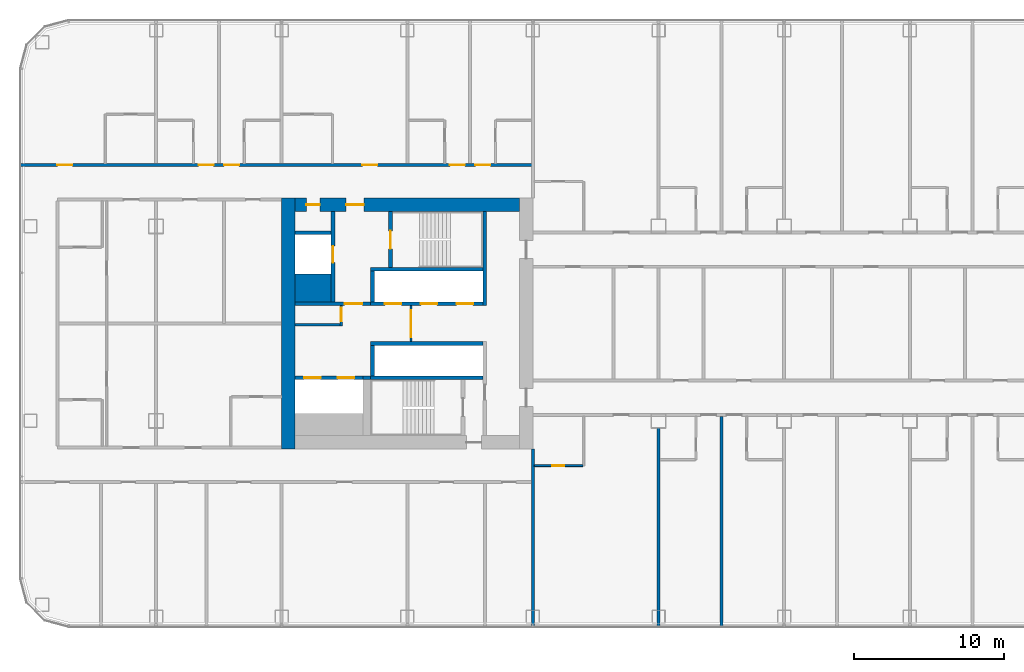
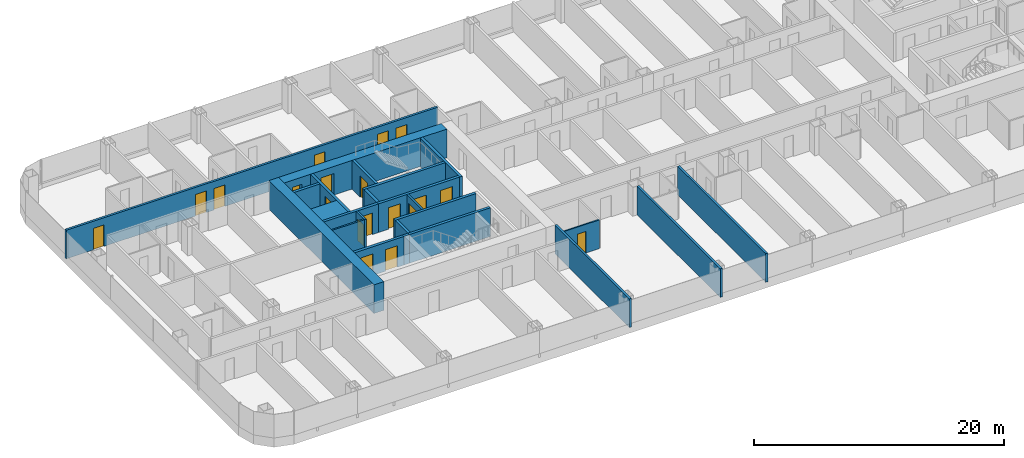
# One storey, part 14 of 28: 24 walls, 19 doors, 19 openings.
"""IFC4 building model written with IfcOpenShell, lengths in metres."""

from ifc_helpers import new_model, si_unit, direction, frame, frame_2d, origin, place, context, subcontext, project, spatial, rectangle, extrude, material, layer, layer_set, type_object, element, fill, save


model = new_model("IFC4")

# Units and contexts
model_context = context("Model", 3, precision=1e-05, world=origin(), true_north=direction((0.0, 1.0)))
body_context = subcontext(model_context, "Body", "Model", "MODEL_VIEW")
ifc_project = project(units=[si_unit("LENGTHUNIT", "METRE"), si_unit("AREAUNIT", "SQUARE_METRE"), si_unit("VOLUMEUNIT", "CUBIC_METRE"), si_unit("PLANEANGLEUNIT", "RADIAN"), si_unit("MASSUNIT", "GRAM", prefix="KILO")], contexts=[model_context])

# Site, building, storey
site_placement = place(None, origin())
site = spatial("IfcSite", under=ifc_project, at=site_placement, CompositionType="ELEMENT")
building_placement = place(site_placement, origin())
building = spatial("IfcBuilding", under=site, at=building_placement, Name="Hakoniwa Tower and Hamabe Station Hall", CompositionType="ELEMENT")
storey_placement = place(building_placement, frame((0.0, 0.0, 42.199951171875)))
storey = spatial("IfcBuildingStorey", under=building, at=storey_placement, Name="L11", CompositionType="ELEMENT", Elevation=42.199951171875)

# Wall, opening, door
ifc_material_1 = material(Name="Gypsum board partition", Category="gypsum")
ifc_layer_1 = layer(ifc_material_1, 0.125)
ifc_layer_set_1 = layer_set([ifc_layer_1], Name="Bathroom Partition 125")
wall_type_1 = type_object("IfcWallType", Name="Bathroom Partition 125", PredefinedType="PARTITIONING", material=ifc_layer_set_1)
wall_1_placement = place(storey_placement, frame((-16.699951171875, -9.5, 0.0), z_axis=(0.0, 0.0, 1.0), x_axis=(1.0, 0.0, 0.0)))
wall_1 = element("IfcWall", 1, at=wall_1_placement, inside=storey, type_object=wall_type_1, Name="GW-L11-009", PredefinedType="PARTITIONING", context=body_context, shape_type="SweptSolid", body=[
    extrude(rectangle(XDim=3.237548828125, YDim=0.125, at=frame_2d((1.61865234375, 0.0))), origin(), (0.0, 0.0, 1.0), 2.800048828125),
])
opening_1_placement = place(wall_1_placement, frame((1.199951171875, 0.0, 0.0)))
opening_1 = element("IfcOpeningElement", 2, at=opening_1_placement, cuts=wall_1, Name="Opening GD-G1C1-16", PredefinedType="OPENING", context=body_context, shape_type="SweptSolid", body=[
    extrude(rectangle(XDim=0.800048828125, YDim=2.10009765625, at=frame_2d((0.39990234375, 1.050048828125))), frame((0.0, 0.072509765625, 0.0), z_axis=(0.0, -1.0, 0.0), x_axis=(1.0, 0.0, 0.0)), (0.0, 0.0, 1.0), 0.14501953125),
])
ifc_material_2 = material(Name="Timber door leaf", Category="wood")
door_type_1 = type_object("IfcDoorType", Name="Bathroom Door 800", OperationType="SINGLE_SWING_LEFT", PredefinedType="DOOR", material=ifc_material_2)
door_1_placement = place(opening_1_placement, origin())
door_1 = element("IfcDoor", 3, at=door_1_placement, inside=storey, type_object=door_type_1, Name="Door GD-G1C1-16", OperationType="SINGLE_SWING_RIGHT", OverallHeight=2.10009765625, OverallWidth=0.800048828125, PredefinedType="DOOR", context=body_context, shape_type="SweptSolid", body=[
    extrude(rectangle(XDim=0.800048828125, YDim=2.10009765625, at=frame_2d((0.39990234375, 1.050048828125))), frame((0.0, 0.02490234375, 0.0), z_axis=(0.0, -1.0, 0.0), x_axis=(1.0, 0.0, 0.0)), (0.0, 0.0, 1.0), 0.050048828125),
])
fill(opening_1, door_1)

ifc_material_3 = material(Name="Gypsum board partition")
ifc_layer_2 = layer(ifc_material_3, 0.14990234375)
ifc_layer_set_2 = layer_set([ifc_layer_2], Name="CORE PARTITION 150 EI 60")
wall_type_2 = type_object("IfcWallType", Name="CORE PARTITION 150 EI 60", PredefinedType="PARTITIONING", material=ifc_layer_set_2)
wall_2_placement = place(storey_placement, frame((-24.949951171875, -1.199951171875, 0.0), z_axis=(0.0, 0.0, 1.0), x_axis=(0.0, 1.0, 0.0)))
wall_2 = element("IfcWall", 4, at=wall_2_placement, inside=storey, type_object=wall_type_2, Name="Core partition PL0 west", PredefinedType="PARTITIONING", context=body_context, shape_type="SweptSolid", body=[
    extrude(rectangle(XDim=2.39990234375, YDim=0.14990234375, at=frame_2d((1.199951171875, 0.0))), origin(), (0.0, 0.0, 1.0), 2.800048828125),
])
opening_2_placement = place(wall_2_placement, frame((0.300048828125, 0.0, 0.0)))
opening_2 = element("IfcOpeningElement", 5, at=opening_2_placement, cuts=wall_2, Name="Opening CD-W-LP0-18", PredefinedType="OPENING", context=body_context, shape_type="SweptSolid", body=[
    extrude(rectangle(XDim=1.800048828125, YDim=2.10009765625, at=frame_2d((0.89990234375, 1.050048828125))), frame((0.0, 0.0849609375, 0.0), z_axis=(0.0, -1.0, 0.0), x_axis=(1.0, 0.0, 0.0)), (0.0, 0.0, 1.0), 0.169921875),
])
ifc_material_4 = material(Name="Steel fire door", Category="steel")
door_type_2 = type_object("IfcDoorType", Name="CORE DOOR 1800 FD60", OperationType="DOUBLE_DOOR_SINGLE_SWING", PredefinedType="DOOR", material=ifc_material_4)
door_2_placement = place(opening_2_placement, origin())
door_2 = element("IfcDoor", 6, at=door_2_placement, inside=storey, type_object=door_type_2, Name="Lift lobby partition door", OperationType="DOUBLE_DOOR_SINGLE_SWING", OverallHeight=2.10009765625, OverallWidth=1.800048828125, PredefinedType="DOOR", context=body_context, shape_type="SweptSolid", body=[
    extrude(rectangle(XDim=1.800048828125, YDim=2.10009765625, at=frame_2d((0.89990234375, 1.050048828125))), frame((0.0, 0.02490234375, 0.0), z_axis=(0.0, -1.0, 0.0), x_axis=(1.0, 0.0, 0.0)), (0.0, 0.0, 1.0), 0.050048828125),
])
fill(opening_2, door_2)

wall_3_placement = place(storey_placement, frame((-29.625, -0.14990234375, 0.0), z_axis=(0.0, 0.0, 1.0), x_axis=(0.0, 1.0, 0.0)))
wall_3 = element("IfcWall", 7, at=wall_3_placement, inside=storey, type_object=wall_type_2, Name="Core partition PW0 west", PredefinedType="PARTITIONING", context=body_context, shape_type="SweptSolid", body=[
    extrude(rectangle(XDim=1.349853515625, YDim=0.14990234375, at=frame_2d((0.6748046875, 0.0))), origin(), (0.0, 0.0, 1.0), 2.800048828125),
])
opening_3_placement = place(wall_3_placement, frame((0.300048828125, 0.0, 0.0)))
opening_3 = element("IfcOpeningElement", 8, at=opening_3_placement, cuts=wall_3, Name="Opening CD-W-RM1-9", PredefinedType="OPENING", context=body_context, shape_type="SweptSolid", body=[
    extrude(rectangle(XDim=0.89990234375, YDim=2.10009765625, at=frame_2d((0.449951171875, 1.050048828125))), frame((0.0, 0.0849609375, 0.0), z_axis=(0.0, -1.0, 0.0), x_axis=(1.0, 0.0, 0.0)), (0.0, 0.0, 1.0), 0.169921875),
])
ifc_material_5 = material(Name="Steel fire door", Category="steel")
door_type_3 = type_object("IfcDoorType", Name="CORE DOOR 900 FD30", OperationType="NOTDEFINED", PredefinedType="DOOR", material=ifc_material_5)
door_3_placement = place(opening_3_placement, origin())
door_3 = element("IfcDoor", 9, at=door_3_placement, inside=storey, type_object=door_type_3, Name="Store room door", OperationType="SINGLE_SWING_RIGHT", OverallHeight=2.10009765625, OverallWidth=0.89990234375, PredefinedType="DOOR", context=body_context, shape_type="SweptSolid", body=[
    extrude(rectangle(XDim=0.89990234375, YDim=2.10009765625, at=frame_2d((0.449951171875, 1.050048828125))), frame((0.0, 0.02490234375, 0.0), z_axis=(0.0, -1.0, 0.0), x_axis=(1.0, 0.0, 0.0)), (0.0, 0.0, 1.0), 0.050048828125),
])
fill(opening_3, door_3)

# Walls
wall_4_placement = place(storey_placement, frame((-32.699951171875, -0.074951171875, 0.0), z_axis=(0.0, 0.0, 1.0), x_axis=(1.0, 0.0, 0.0)))
element("IfcWall", 10, at=wall_4_placement, inside=storey, type_object=wall_type_2, Name="Core partition PS west", PredefinedType="PARTITIONING", context=body_context, shape_type="SweptSolid", body=[
    extrude(rectangle(XDim=3.0, YDim=0.14990234375, at=frame_2d((1.5, 0.0))), origin(), (0.0, 0.0, 1.0), 2.800048828125),
])
ifc_material_6 = material(Name="Concrete C80", Category="concrete")
ifc_layer_3 = layer(ifc_material_6, 0.89990234375)
ifc_layer_set_3 = layer_set([ifc_layer_3], Name="CORE WALL 900 C80")
wall_type_3 = type_object("IfcWallType", Name="CORE WALL 900 C80", PredefinedType="SHEAR", material=ifc_layer_set_3)
wall_5_placement = place(storey_placement, frame((-33.14990234375, -8.39990234375, 0.0), z_axis=(0.0, 0.0, 1.0), x_axis=(0.0, 1.0, 0.0)))
element("IfcWall", 11, at=wall_5_placement, inside=storey, type_object=wall_type_3, Name="Core wall OUTER west", PredefinedType="SHEAR", context=body_context, shape_type="SweptSolid", body=[
    extrude(rectangle(XDim=16.7998046875, YDim=0.89990234375, at=frame_2d((8.39990234375, 0.0))), origin(), (0.0, 0.0, 1.0), 2.800048828125),
])

# Wall, openings, doors
wall_6_placement = place(storey_placement, frame((-32.699951171875, 7.949951171875, 0.0), z_axis=(0.0, 0.0, 1.0), x_axis=(1.0, 0.0, 0.0)))
wall_6 = element("IfcWall", 12, at=wall_6_placement, inside=storey, type_object=wall_type_3, Name="Core wall NORTH west", PredefinedType="SHEAR", context=body_context, shape_type="SweptSolid", body=[
    extrude(rectangle(XDim=15.0, YDim=0.89990234375, at=frame_2d((7.5, 0.0))), origin(), (0.0, 0.0, 1.0), 2.800048828125),
])
opening_4_placement = place(wall_6_placement, frame((3.39990234375, 0.0, 0.0)))
opening_4 = element("IfcOpeningElement", 13, at=opening_4_placement, cuts=wall_6, Name="Opening CD-W-FN1-12", PredefinedType="OPENING", context=body_context, shape_type="SweptSolid", body=[
    extrude(rectangle(XDim=1.199951171875, YDim=2.10009765625, at=frame_2d((0.60009765625, 1.050048828125))), frame((0.0, 0.4599609375, 0.0), z_axis=(0.0, -1.0, 0.0), x_axis=(1.0, 0.0, 0.0)), (0.0, 0.0, 1.0), 0.919921875),
])
opening_5_placement = place(wall_6_placement, frame((0.75, 0.0, 0.0)))
opening_5 = element("IfcOpeningElement", 14, at=opening_5_placement, cuts=wall_6, Name="Opening CD-W-FN2-9", PredefinedType="OPENING", context=body_context, shape_type="SweptSolid", body=[
    extrude(rectangle(XDim=0.89990234375, YDim=2.10009765625, at=frame_2d((0.449951171875, 1.050048828125))), frame((0.0, 0.4599609375, 0.0), z_axis=(0.0, -1.0, 0.0), x_axis=(1.0, 0.0, 0.0)), (0.0, 0.0, 1.0), 0.919921875),
])
ifc_material_7 = material(Name="Steel fire door", Category="steel")
door_type_4 = type_object("IfcDoorType", Name="CORE DOOR 1200 FD60", OperationType="DOUBLE_DOOR_SINGLE_SWING", PredefinedType="DOOR", material=ifc_material_7)
door_4_placement = place(opening_4_placement, origin())
door_4 = element("IfcDoor", 15, at=door_4_placement, inside=storey, type_object=door_type_4, Name="Stair vestibule door to the fire-fighting lobby", OperationType="DOUBLE_DOOR_SINGLE_SWING", OverallHeight=2.10009765625, OverallWidth=1.199951171875, PredefinedType="DOOR", context=body_context, shape_type="SweptSolid", body=[
    extrude(rectangle(XDim=1.199951171875, YDim=2.10009765625, at=frame_2d((0.60009765625, 1.050048828125))), frame((0.0, 0.02490234375, 0.0), z_axis=(0.0, -1.0, 0.0), x_axis=(1.0, 0.0, 0.0)), (0.0, 0.0, 1.0), 0.050048828125),
])
fill(opening_4, door_4)
door_5_placement = place(opening_5_placement, origin())
door_5 = element("IfcDoor", 16, at=door_5_placement, inside=storey, type_object=door_type_3, Name="Riser access door", OperationType="SINGLE_SWING_LEFT", OverallHeight=2.10009765625, OverallWidth=0.89990234375, PredefinedType="DOOR", context=body_context, shape_type="SweptSolid", body=[
    extrude(rectangle(XDim=0.89990234375, YDim=2.10009765625, at=frame_2d((0.449951171875, 1.050048828125))), frame((0.0, 0.02490234375, 0.0), z_axis=(0.0, -1.0, 0.0), x_axis=(1.0, 0.0, 0.0)), (0.0, 0.0, 1.0), 0.050048828125),
])
fill(opening_5, door_5)

# Walls
ifc_material_8 = material(Name="Concrete C80", Category="concrete")
ifc_layer_4 = layer(ifc_material_8, 1.85009765625)
ifc_layer_set_4 = layer_set([ifc_layer_4], Name="CORE WEB WALL 1850 C80")
wall_type_4 = type_object("IfcWallType", Name="CORE WEB WALL 1850 C80", PredefinedType="SHEAR", material=ifc_layer_set_4)
wall_7_placement = place(storey_placement, frame((-32.699951171875, 2.375, 0.0), z_axis=(0.0, 0.0, 1.0), x_axis=(1.0, 0.0, 0.0)))
element("IfcWall", 17, at=wall_7_placement, inside=storey, type_object=wall_type_4, Name="Core wall CA west", PredefinedType="SHEAR", context=body_context, shape_type="SweptSolid", body=[
    extrude(rectangle(XDim=2.39990234375, YDim=1.85009765625, at=frame_2d((1.199951171875, 0.0))), origin(), (0.0, 0.0, 1.0), 2.800048828125),
])
ifc_material_9 = material(Name="Concrete C80", Category="concrete")
ifc_layer_5 = layer(ifc_material_9, 0.25)
ifc_layer_set_5 = layer_set([ifc_layer_5], Name="CORE WEB WALL 250 C80")
wall_type_5 = type_object("IfcWallType", Name="CORE WEB WALL 250 C80", PredefinedType="SHEAR", material=ifc_layer_set_5)
wall_8_placement = place(storey_placement, frame((-20.02490234375, 1.199951171875, 0.0), z_axis=(0.0, 0.0, 1.0), x_axis=(0.0, 1.0, 0.0)))
element("IfcWall", 18, at=wall_8_placement, inside=storey, type_object=wall_type_5, Name="Core wall W1N west", PredefinedType="SHEAR", context=body_context, shape_type="SweptSolid", body=[
    extrude(rectangle(XDim=6.300048828125, YDim=0.25, at=frame_2d((3.14990234375, 0.0))), origin(), (0.0, 0.0, 1.0), 2.800048828125),
])

# Wall, openings, doors
wall_9_placement = place(storey_placement, frame((-27.64990234375, 1.324951171875, 0.0), z_axis=(0.0, 0.0, 1.0), x_axis=(1.0, 0.0, 0.0)))
wall_9 = element("IfcWall", 19, at=wall_9_placement, inside=storey, type_object=wall_type_5, Name="Core wall NF west", PredefinedType="SHEAR", context=body_context, shape_type="SweptSolid", body=[
    extrude(rectangle(XDim=7.5, YDim=0.25, at=frame_2d((3.75, 0.0))), origin(), (0.0, 0.0, 1.0), 2.800048828125),
])
opening_6_placement = place(wall_9_placement, frame((5.75, 0.0, 0.0)))
opening_6 = element("IfcOpeningElement", 20, at=opening_6_placement, cuts=wall_9, Name="Opening LD-LR1", PredefinedType="OPENING", context=body_context, shape_type="SweptSolid", body=[
    extrude(rectangle(XDim=1.10009765625, YDim=2.10009765625, at=frame_2d((0.550048828125, 1.050048828125))), frame((0.0, 0.135009765625, 0.0), z_axis=(0.0, -1.0, 0.0), x_axis=(1.0, 0.0, 0.0)), (0.0, 0.0, 1.0), 0.27001953125),
])
opening_7_placement = place(wall_9_placement, frame((3.35009765625, 0.0, 0.0)))
opening_7 = element("IfcOpeningElement", 21, at=opening_7_placement, cuts=wall_9, Name="Opening LD-LR2", PredefinedType="OPENING", context=body_context, shape_type="SweptSolid", body=[
    extrude(rectangle(XDim=1.10009765625, YDim=2.10009765625, at=frame_2d((0.550048828125, 1.050048828125))), frame((0.0, 0.135009765625, 0.0), z_axis=(0.0, -1.0, 0.0), x_axis=(1.0, 0.0, 0.0)), (0.0, 0.0, 1.0), 0.27001953125),
])
opening_8_placement = place(wall_9_placement, frame((0.949951171875, 0.0, 0.0)))
opening_8 = element("IfcOpeningElement", 22, at=opening_8_placement, cuts=wall_9, Name="Opening LD-LR3", PredefinedType="OPENING", context=body_context, shape_type="SweptSolid", body=[
    extrude(rectangle(XDim=1.10009765625, YDim=2.10009765625, at=frame_2d((0.550048828125, 1.050048828125))), frame((0.0, 0.135009765625, 0.0), z_axis=(0.0, -1.0, 0.0), x_axis=(1.0, 0.0, 0.0)), (0.0, 0.0, 1.0), 0.27001953125),
])
ifc_material_10 = material(Name="Stainless steel SUS304", Category="steel")
door_type_5 = type_object("IfcDoorType", Name="LIFT LANDING DOOR 1100 FD60", OperationType="DOUBLE_DOOR_SLIDING", PredefinedType="DOOR", material=ifc_material_10)
door_6_placement = place(opening_6_placement, origin())
door_6 = element("IfcDoor", 23, at=door_6_placement, inside=storey, type_object=door_type_5, Name="Lift landing door LR1 L11", OperationType="DOUBLE_DOOR_SLIDING", OverallHeight=2.10009765625, OverallWidth=1.10009765625, PredefinedType="DOOR", context=body_context, shape_type="SweptSolid", body=[
    extrude(rectangle(XDim=1.10009765625, YDim=2.10009765625, at=frame_2d((0.550048828125, 1.050048828125))), frame((0.0, 0.02490234375, 0.0), z_axis=(0.0, -1.0, 0.0), x_axis=(1.0, 0.0, 0.0)), (0.0, 0.0, 1.0), 0.050048828125),
])
fill(opening_6, door_6)
door_7_placement = place(opening_7_placement, origin())
door_7 = element("IfcDoor", 24, at=door_7_placement, inside=storey, type_object=door_type_5, Name="Lift landing door LR2 L11", OperationType="DOUBLE_DOOR_SLIDING", OverallHeight=2.10009765625, OverallWidth=1.10009765625, PredefinedType="DOOR", context=body_context, shape_type="SweptSolid", body=[
    extrude(rectangle(XDim=1.10009765625, YDim=2.10009765625, at=frame_2d((0.550048828125, 1.050048828125))), frame((0.0, 0.02490234375, 0.0), z_axis=(0.0, -1.0, 0.0), x_axis=(1.0, 0.0, 0.0)), (0.0, 0.0, 1.0), 0.050048828125),
])
fill(opening_7, door_7)
door_8_placement = place(opening_8_placement, origin())
door_8 = element("IfcDoor", 25, at=door_8_placement, inside=storey, type_object=door_type_5, Name="Lift landing door LR3 L11", OperationType="DOUBLE_DOOR_SLIDING", OverallHeight=2.10009765625, OverallWidth=1.10009765625, PredefinedType="DOOR", context=body_context, shape_type="SweptSolid", body=[
    extrude(rectangle(XDim=1.10009765625, YDim=2.10009765625, at=frame_2d((0.550048828125, 1.050048828125))), frame((0.0, 0.02490234375, 0.0), z_axis=(0.0, -1.0, 0.0), x_axis=(1.0, 0.0, 0.0)), (0.0, 0.0, 1.0), 0.050048828125),
])
fill(opening_8, door_8)

# Walls
wall_10_placement = place(storey_placement, frame((-27.52490234375, 1.449951171875, 0.0), z_axis=(0.0, 0.0, 1.0), x_axis=(0.0, 1.0, 0.0)))
element("IfcWall", 26, at=wall_10_placement, inside=storey, type_object=wall_type_5, Name="Core wall NE west", PredefinedType="SHEAR", context=body_context, shape_type="SweptSolid", body=[
    extrude(rectangle(XDim=2.050048828125, YDim=0.25, at=frame_2d((1.02490234375, 0.0))), origin(), (0.0, 0.0, 1.0), 2.800048828125),
])
wall_11_placement = place(storey_placement, frame((-27.64990234375, 3.625, 0.0), z_axis=(0.0, 0.0, 1.0), x_axis=(1.0, 0.0, 0.0)))
element("IfcWall", 27, at=wall_11_placement, inside=storey, type_object=wall_type_5, Name="Core wall NR west", PredefinedType="SHEAR", context=body_context, shape_type="SweptSolid", body=[
    extrude(rectangle(XDim=7.5, YDim=0.25, at=frame_2d((3.75, 0.0))), origin(), (0.0, 0.0, 1.0), 2.800048828125),
])

# Wall, opening, door
wall_12_placement = place(storey_placement, frame((-26.324951171875, 3.75, 0.0), z_axis=(0.0, 0.0, 1.0), x_axis=(0.0, 1.0, 0.0)))
wall_12 = element("IfcWall", 28, at=wall_12_placement, inside=storey, type_object=wall_type_5, Name="Core wall NSE west", PredefinedType="SHEAR", context=body_context, shape_type="SweptSolid", body=[
    extrude(rectangle(XDim=3.75, YDim=0.25, at=frame_2d((1.875, 0.0))), origin(), (0.0, 0.0, 1.0), 2.800048828125),
])
opening_9_placement = place(wall_12_placement, frame((1.25, 0.0, 0.0)))
opening_9 = element("IfcOpeningElement", 29, at=opening_9_placement, cuts=wall_12, Name="Opening CD-W-SN-12", PredefinedType="OPENING", context=body_context, shape_type="SweptSolid", body=[
    extrude(rectangle(XDim=1.199951171875, YDim=2.10009765625, at=frame_2d((0.60009765625, 1.050048828125))), frame((0.0, 0.135009765625, 0.0), z_axis=(0.0, -1.0, 0.0), x_axis=(1.0, 0.0, 0.0)), (0.0, 0.0, 1.0), 0.27001953125),
])
door_9_placement = place(opening_9_placement, origin())
door_9 = element("IfcDoor", 30, at=door_9_placement, inside=storey, type_object=door_type_4, Name="Escape stair door", OperationType="DOUBLE_DOOR_SINGLE_SWING", OverallHeight=2.10009765625, OverallWidth=1.199951171875, PredefinedType="DOOR", context=body_context, shape_type="SweptSolid", body=[
    extrude(rectangle(XDim=1.199951171875, YDim=2.10009765625, at=frame_2d((0.60009765625, 1.050048828125))), frame((0.0, 0.02490234375, 0.0), z_axis=(0.0, -1.0, 0.0), x_axis=(1.0, 0.0, 0.0)), (0.0, 0.0, 1.0), 0.050048828125),
])
fill(opening_9, door_9)

wall_13_placement = place(storey_placement, frame((-32.699951171875, 1.324951171875, 0.0), z_axis=(0.0, 0.0, 1.0), x_axis=(1.0, 0.0, 0.0)))
wall_13 = element("IfcWall", 31, at=wall_13_placement, inside=storey, type_object=wall_type_5, Name="Core wall ELN west", PredefinedType="SHEAR", context=body_context, shape_type="SweptSolid", body=[
    extrude(rectangle(XDim=5.050048828125, YDim=0.25, at=frame_2d((2.52490234375, 0.0))), origin(), (0.0, 0.0, 1.0), 2.800048828125),
])
opening_10_placement = place(wall_13_placement, frame((3.300048828125, 0.0, 0.0)))
opening_10 = element("IfcOpeningElement", 32, at=opening_10_placement, cuts=wall_13, Name="Opening CD-W-FL-12", PredefinedType="OPENING", context=body_context, shape_type="SweptSolid", body=[
    extrude(rectangle(XDim=1.199951171875, YDim=2.10009765625, at=frame_2d((0.60009765625, 1.050048828125))), frame((0.0, 0.135009765625, 0.0), z_axis=(0.0, -1.0, 0.0), x_axis=(1.0, 0.0, 0.0)), (0.0, 0.0, 1.0), 0.27001953125),
])
door_10_placement = place(opening_10_placement, origin())
door_10 = element("IfcDoor", 33, at=door_10_placement, inside=storey, type_object=door_type_4, Name="Stair vestibule door to the fire-fighting lobby", OperationType="DOUBLE_DOOR_SINGLE_SWING", OverallHeight=2.10009765625, OverallWidth=1.199951171875, PredefinedType="DOOR", context=body_context, shape_type="SweptSolid", body=[
    extrude(rectangle(XDim=1.199951171875, YDim=2.10009765625, at=frame_2d((0.60009765625, 1.050048828125))), frame((0.0, 0.02490234375, 0.0), z_axis=(0.0, -1.0, 0.0), x_axis=(1.0, 0.0, 0.0)), (0.0, 0.0, 1.0), 0.050048828125),
])
fill(opening_10, door_10)

wall_14_placement = place(storey_placement, frame((-30.175048828125, 1.449951171875, 0.0), z_axis=(0.0, 0.0, 1.0), x_axis=(0.0, 1.0, 0.0)))
wall_14 = element("IfcWall", 34, at=wall_14_placement, inside=storey, type_object=wall_type_5, Name="Core wall FFF west", PredefinedType="SHEAR", context=body_context, shape_type="SweptSolid", body=[
    extrude(rectangle(XDim=6.050048828125, YDim=0.25, at=frame_2d((3.02490234375, 0.0))), origin(), (0.0, 0.0, 1.0), 2.800048828125),
])
opening_11_placement = place(wall_14_placement, frame((2.625, 0.0, 0.0)))
opening_11 = element("IfcOpeningElement", 35, at=opening_11_placement, cuts=wall_14, Name="Opening LD-FF1", PredefinedType="OPENING", context=body_context, shape_type="SweptSolid", body=[
    extrude(rectangle(XDim=1.10009765625, YDim=2.10009765625, at=frame_2d((0.550048828125, 1.050048828125))), frame((0.0, 0.135009765625, 0.0), z_axis=(0.0, -1.0, 0.0), x_axis=(1.0, 0.0, 0.0)), (0.0, 0.0, 1.0), 0.27001953125),
])
door_11_placement = place(opening_11_placement, origin())
door_11 = element("IfcDoor", 36, at=door_11_placement, inside=storey, type_object=door_type_5, Name="Lift landing door FF1 L11", OperationType="DOUBLE_DOOR_SLIDING", OverallHeight=2.10009765625, OverallWidth=1.10009765625, PredefinedType="DOOR", context=body_context, shape_type="SweptSolid", body=[
    extrude(rectangle(XDim=1.10009765625, YDim=2.10009765625, at=frame_2d((0.550048828125, 1.050048828125))), frame((0.0, 0.02490234375, 0.0), z_axis=(0.0, -1.0, 0.0), x_axis=(1.0, 0.0, 0.0)), (0.0, 0.0, 1.0), 0.050048828125),
])
fill(opening_11, door_11)

# Walls
wall_15_placement = place(storey_placement, frame((-32.699951171875, 6.074951171875, 0.0), z_axis=(0.0, 0.0, 1.0), x_axis=(1.0, 0.0, 0.0)))
element("IfcWall", 37, at=wall_15_placement, inside=storey, type_object=wall_type_5, Name="Core wall C2 west", PredefinedType="SHEAR", context=body_context, shape_type="SweptSolid", body=[
    extrude(rectangle(XDim=2.39990234375, YDim=0.25, at=frame_2d((1.199951171875, 0.0))), origin(), (0.0, 0.0, 1.0), 2.800048828125),
])
wall_16_placement = place(storey_placement, frame((-27.64990234375, -1.324951171875, 0.0), z_axis=(0.0, 0.0, 1.0), x_axis=(1.0, 0.0, 0.0)))
element("IfcWall", 38, at=wall_16_placement, inside=storey, type_object=wall_type_5, Name="Core wall SF west", PredefinedType="SHEAR", context=body_context, shape_type="SweptSolid", body=[
    extrude(rectangle(XDim=7.5, YDim=0.25, at=frame_2d((3.75, 0.0))), origin(), (0.0, 0.0, 1.0), 2.800048828125),
])
wall_17_placement = place(storey_placement, frame((-27.52490234375, -3.5, 0.0), z_axis=(0.0, 0.0, 1.0), x_axis=(0.0, 1.0, 0.0)))
element("IfcWall", 39, at=wall_17_placement, inside=storey, type_object=wall_type_5, Name="Core wall SE west", PredefinedType="SHEAR", context=body_context, shape_type="SweptSolid", body=[
    extrude(rectangle(XDim=2.050048828125, YDim=0.25, at=frame_2d((1.02490234375, 0.0))), origin(), (0.0, 0.0, 1.0), 2.800048828125),
])
wall_18_placement = place(storey_placement, frame((-27.64990234375, -3.625, 0.0), z_axis=(0.0, 0.0, 1.0), x_axis=(1.0, 0.0, 0.0)))
element("IfcWall", 40, at=wall_18_placement, inside=storey, type_object=wall_type_5, Name="Core wall SR west", PredefinedType="SHEAR", context=body_context, shape_type="SweptSolid", body=[
    extrude(rectangle(XDim=7.5, YDim=0.25, at=frame_2d((3.75, 0.0))), origin(), (0.0, 0.0, 1.0), 2.800048828125),
])

# Wall, openings, doors
wall_19_placement = place(storey_placement, frame((-32.699951171875, -3.625, 0.0), z_axis=(0.0, 0.0, 1.0), x_axis=(1.0, 0.0, 0.0)))
wall_19 = element("IfcWall", 41, at=wall_19_placement, inside=storey, type_object=wall_type_5, Name="Core wall SEF west", PredefinedType="SHEAR", context=body_context, shape_type="SweptSolid", body=[
    extrude(rectangle(XDim=4.550048828125, YDim=0.25, at=frame_2d((2.27490234375, 0.0))), origin(), (0.0, 0.0, 1.0), 2.800048828125),
])
opening_12_placement = place(wall_19_placement, frame((2.85009765625, 0.0, 0.0)))
opening_12 = element("IfcOpeningElement", 42, at=opening_12_placement, cuts=wall_19, Name="Opening LD-SV1", PredefinedType="OPENING", context=body_context, shape_type="SweptSolid", body=[
    extrude(rectangle(XDim=1.10009765625, YDim=2.10009765625, at=frame_2d((0.550048828125, 1.050048828125))), frame((0.0, 0.135009765625, 0.0), z_axis=(0.0, -1.0, 0.0), x_axis=(1.0, 0.0, 0.0)), (0.0, 0.0, 1.0), 0.27001953125),
])
opening_13_placement = place(wall_19_placement, frame((0.60009765625, 0.0, 0.0)))
opening_13 = element("IfcOpeningElement", 43, at=opening_13_placement, cuts=wall_19, Name="Opening LD-SV2", PredefinedType="OPENING", context=body_context, shape_type="SweptSolid", body=[
    extrude(rectangle(XDim=1.10009765625, YDim=2.10009765625, at=frame_2d((0.550048828125, 1.050048828125))), frame((0.0, 0.135009765625, 0.0), z_axis=(0.0, -1.0, 0.0), x_axis=(1.0, 0.0, 0.0)), (0.0, 0.0, 1.0), 0.27001953125),
])
door_12_placement = place(opening_12_placement, origin())
door_12 = element("IfcDoor", 44, at=door_12_placement, inside=storey, type_object=door_type_5, Name="Lift landing door SV1 L11", OperationType="DOUBLE_DOOR_SLIDING", OverallHeight=2.10009765625, OverallWidth=1.10009765625, PredefinedType="DOOR", context=body_context, shape_type="SweptSolid", body=[
    extrude(rectangle(XDim=1.10009765625, YDim=2.10009765625, at=frame_2d((0.550048828125, 1.050048828125))), frame((0.0, 0.02490234375, 0.0), z_axis=(0.0, -1.0, 0.0), x_axis=(1.0, 0.0, 0.0)), (0.0, 0.0, 1.0), 0.050048828125),
])
fill(opening_12, door_12)
door_13_placement = place(opening_13_placement, origin())
door_13 = element("IfcDoor", 45, at=door_13_placement, inside=storey, type_object=door_type_5, Name="Lift landing door SV2 L11", OperationType="DOUBLE_DOOR_SLIDING", OverallHeight=2.10009765625, OverallWidth=1.10009765625, PredefinedType="DOOR", context=body_context, shape_type="SweptSolid", body=[
    extrude(rectangle(XDim=1.10009765625, YDim=2.10009765625, at=frame_2d((0.550048828125, 1.050048828125))), frame((0.0, 0.02490234375, 0.0), z_axis=(0.0, -1.0, 0.0), x_axis=(1.0, 0.0, 0.0)), (0.0, 0.0, 1.0), 0.050048828125),
])
fill(opening_13, door_13)

# Wall
wall_20_placement = place(storey_placement, frame((-28.14990234375, -3.625, 0.0), z_axis=(0.0, 0.0, 1.0), x_axis=(1.0, 0.0, 0.0)))
element("IfcWall", 46, at=wall_20_placement, inside=storey, type_object=wall_type_5, Name="Core wall SRK west", PredefinedType="SHEAR", context=body_context, shape_type="SweptSolid", body=[
    extrude(rectangle(XDim=0.5, YDim=0.25, at=frame_2d((0.25, 0.0))), origin(), (0.0, 0.0, 1.0), 2.800048828125),
])

# Wall, openings, doors
ifc_material_11 = material(Name="Fire-rated gypsum board partition", Category="gypsum")
ifc_layer_6 = layer(ifc_material_11, 0.199951171875)
ifc_layer_set_6 = layer_set([ifc_layer_6], Name="Corridor Wall 200")
wall_type_6 = type_object("IfcWallType", Name="Corridor Wall 200", PredefinedType="PARTITIONING", material=ifc_layer_set_6)
wall_21_placement = place(storey_placement, frame((-51.10009765625, 10.60009765625, 0.0), z_axis=(0.0, 0.0, 1.0), x_axis=(1.0, 0.0, 0.0)))
wall_21 = element("IfcWall", 47, at=wall_21_placement, inside=storey, type_object=wall_type_6, Name="GW-L11-034", PredefinedType="PARTITIONING", context=body_context, shape_type="SweptSolid", body=[
    extrude(rectangle(XDim=34.300048828125, YDim=0.199951171875, at=frame_2d((17.14990234375, 0.0))), origin(), (0.0, 0.0, 1.0), 2.800048828125),
])
opening_14_placement = place(wall_21_placement, frame((2.5, 0.0, 0.0)))
opening_14 = element("IfcOpeningElement", 48, at=opening_14_placement, cuts=wall_21, Name="Opening GD-G1C1-52", PredefinedType="OPENING", context=body_context, shape_type="SweptSolid", body=[
    extrude(rectangle(XDim=1.0, YDim=2.10009765625, at=frame_2d((0.5, 1.050048828125))), frame((0.0, 0.10986328125, 0.0), z_axis=(0.0, -1.0, 0.0), x_axis=(1.0, 0.0, 0.0)), (0.0, 0.0, 1.0), 0.219970703125),
])
opening_15_placement = place(wall_21_placement, frame((11.949951171875, 0.0, 0.0)))
opening_15 = element("IfcOpeningElement", 49, at=opening_15_placement, cuts=wall_21, Name="Opening GD-G1C1-53", PredefinedType="OPENING", context=body_context, shape_type="SweptSolid", body=[
    extrude(rectangle(XDim=1.0, YDim=2.10009765625, at=frame_2d((0.5, 1.050048828125))), frame((0.0, 0.10986328125, 0.0), z_axis=(0.0, -1.0, 0.0), x_axis=(1.0, 0.0, 0.0)), (0.0, 0.0, 1.0), 0.219970703125),
])
opening_16_placement = place(wall_21_placement, frame((13.64990234375, 0.0, 0.0)))
opening_16 = element("IfcOpeningElement", 50, at=opening_16_placement, cuts=wall_21, Name="Opening GD-G1C1-54", PredefinedType="OPENING", context=body_context, shape_type="SweptSolid", body=[
    extrude(rectangle(XDim=1.0, YDim=2.10009765625, at=frame_2d((0.5, 1.050048828125))), frame((0.0, 0.10986328125, 0.0), z_axis=(0.0, -1.0, 0.0), x_axis=(1.0, 0.0, 0.0)), (0.0, 0.0, 1.0), 0.219970703125),
])
opening_17_placement = place(wall_21_placement, frame((22.89990234375, 0.0, 0.0)))
opening_17 = element("IfcOpeningElement", 51, at=opening_17_placement, cuts=wall_21, Name="Opening GD-G1C1-55", PredefinedType="OPENING", context=body_context, shape_type="SweptSolid", body=[
    extrude(rectangle(XDim=1.0, YDim=2.10009765625, at=frame_2d((0.5, 1.050048828125))), frame((0.0, 0.10986328125, 0.0), z_axis=(0.0, -1.0, 0.0), x_axis=(1.0, 0.0, 0.0)), (0.0, 0.0, 1.0), 0.219970703125),
])
opening_18_placement = place(wall_21_placement, frame((28.75, 0.0, 0.0)))
opening_18 = element("IfcOpeningElement", 52, at=opening_18_placement, cuts=wall_21, Name="Opening GD-G1C1-56", PredefinedType="OPENING", context=body_context, shape_type="SweptSolid", body=[
    extrude(rectangle(XDim=1.0, YDim=2.10009765625, at=frame_2d((0.5, 1.050048828125))), frame((0.0, 0.10986328125, 0.0), z_axis=(0.0, -1.0, 0.0), x_axis=(1.0, 0.0, 0.0)), (0.0, 0.0, 1.0), 0.219970703125),
])
opening_19_placement = place(wall_21_placement, frame((30.449951171875, 0.0, 0.0)))
opening_19 = element("IfcOpeningElement", 53, at=opening_19_placement, cuts=wall_21, Name="Opening GD-G1C1-57", PredefinedType="OPENING", context=body_context, shape_type="SweptSolid", body=[
    extrude(rectangle(XDim=1.0, YDim=2.10009765625, at=frame_2d((0.5, 1.050048828125))), frame((0.0, 0.10986328125, 0.0), z_axis=(0.0, -1.0, 0.0), x_axis=(1.0, 0.0, 0.0)), (0.0, 0.0, 1.0), 0.219970703125),
])
ifc_material_12 = material(Name="Timber door leaf", Category="wood")
door_type_6 = type_object("IfcDoorType", Name="Guest Entrance Door 1000", OperationType="SINGLE_SWING_LEFT", PredefinedType="DOOR", material=ifc_material_12)
door_14_placement = place(opening_14_placement, origin())
door_14 = element("IfcDoor", 54, at=door_14_placement, inside=storey, type_object=door_type_6, Name="Door GD-G1C1-52", OperationType="SINGLE_SWING_RIGHT", OverallHeight=2.10009765625, OverallWidth=1.0, PredefinedType="DOOR", context=body_context, shape_type="SweptSolid", body=[
    extrude(rectangle(XDim=1.0, YDim=2.10009765625, at=frame_2d((0.5, 1.050048828125))), frame((0.0, 0.02490234375, 0.0), z_axis=(0.0, -1.0, 0.0), x_axis=(1.0, 0.0, 0.0)), (0.0, 0.0, 1.0), 0.050048828125),
])
fill(opening_14, door_14)
door_15_placement = place(opening_15_placement, origin())
door_15 = element("IfcDoor", 55, at=door_15_placement, inside=storey, type_object=door_type_6, Name="Door GD-G1C1-53", OperationType="SINGLE_SWING_LEFT", OverallHeight=2.10009765625, OverallWidth=1.0, PredefinedType="DOOR", context=body_context, shape_type="SweptSolid", body=[
    extrude(rectangle(XDim=1.0, YDim=2.10009765625, at=frame_2d((0.5, 1.050048828125))), frame((0.0, 0.02490234375, 0.0), z_axis=(0.0, -1.0, 0.0), x_axis=(1.0, 0.0, 0.0)), (0.0, 0.0, 1.0), 0.050048828125),
])
fill(opening_15, door_15)
door_16_placement = place(opening_16_placement, origin())
door_16 = element("IfcDoor", 56, at=door_16_placement, inside=storey, type_object=door_type_6, Name="Door GD-G1C1-54", OperationType="SINGLE_SWING_RIGHT", OverallHeight=2.10009765625, OverallWidth=1.0, PredefinedType="DOOR", context=body_context, shape_type="SweptSolid", body=[
    extrude(rectangle(XDim=1.0, YDim=2.10009765625, at=frame_2d((0.5, 1.050048828125))), frame((0.0, 0.02490234375, 0.0), z_axis=(0.0, -1.0, 0.0), x_axis=(1.0, 0.0, 0.0)), (0.0, 0.0, 1.0), 0.050048828125),
])
fill(opening_16, door_16)
door_17_placement = place(opening_17_placement, origin())
door_17 = element("IfcDoor", 57, at=door_17_placement, inside=storey, type_object=door_type_6, Name="Door GD-G1C1-55", OperationType="SINGLE_SWING_LEFT", OverallHeight=2.10009765625, OverallWidth=1.0, PredefinedType="DOOR", context=body_context, shape_type="SweptSolid", body=[
    extrude(rectangle(XDim=1.0, YDim=2.10009765625, at=frame_2d((0.5, 1.050048828125))), frame((0.0, 0.02490234375, 0.0), z_axis=(0.0, -1.0, 0.0), x_axis=(1.0, 0.0, 0.0)), (0.0, 0.0, 1.0), 0.050048828125),
])
fill(opening_17, door_17)
door_18_placement = place(opening_18_placement, origin())
door_18 = element("IfcDoor", 58, at=door_18_placement, inside=storey, type_object=door_type_6, Name="Door GD-G1C1-56", OperationType="SINGLE_SWING_RIGHT", OverallHeight=2.10009765625, OverallWidth=1.0, PredefinedType="DOOR", context=body_context, shape_type="SweptSolid", body=[
    extrude(rectangle(XDim=1.0, YDim=2.10009765625, at=frame_2d((0.5, 1.050048828125))), frame((0.0, 0.02490234375, 0.0), z_axis=(0.0, -1.0, 0.0), x_axis=(1.0, 0.0, 0.0)), (0.0, 0.0, 1.0), 0.050048828125),
])
fill(opening_18, door_18)
door_19_placement = place(opening_19_placement, origin())
door_19 = element("IfcDoor", 59, at=door_19_placement, inside=storey, type_object=door_type_6, Name="Door GD-G1C1-57", OperationType="SINGLE_SWING_LEFT", OverallHeight=2.10009765625, OverallWidth=1.0, PredefinedType="DOOR", context=body_context, shape_type="SweptSolid", body=[
    extrude(rectangle(XDim=1.0, YDim=2.10009765625, at=frame_2d((0.5, 1.050048828125))), frame((0.0, 0.02490234375, 0.0), z_axis=(0.0, -1.0, 0.0), x_axis=(1.0, 0.0, 0.0)), (0.0, 0.0, 1.0), 0.050048828125),
])
fill(opening_19, door_19)

# Walls
ifc_material_13 = material(Name="Fire-rated gypsum board partition", Category="gypsum")
ifc_layer_7 = layer(ifc_material_13, 0.199951171875)
ifc_layer_set_7 = layer_set([ifc_layer_7], Name="Party Wall 200")
wall_type_7 = type_object("IfcWallType", Name="Party Wall 200", PredefinedType="PARTITIONING", material=ifc_layer_set_7)
wall_22_placement = place(storey_placement, frame((-16.800048828125, -20.300048828125, 0.0), z_axis=(0.0, 0.0, 1.0), x_axis=(0.0, 1.0, 0.0)))
element("IfcWall", 60, at=wall_22_placement, inside=storey, type_object=wall_type_7, Name="GW-L11-072", PredefinedType="PARTITIONING", context=body_context, shape_type="SweptSolid", body=[
    extrude(rectangle(XDim=11.91015625, YDim=0.199951171875, at=frame_2d((5.955078125, 0.0))), origin(), (0.0, 0.0, 1.0), 2.800048828125),
])
wall_23_placement = place(storey_placement, frame((-8.39990234375, -20.300048828125, 0.0), z_axis=(0.0, 0.0, 1.0), x_axis=(0.0, 1.0, 0.0)))
element("IfcWall", 61, at=wall_23_placement, inside=storey, type_object=wall_type_7, Name="GW-L11-077", PredefinedType="PARTITIONING", context=body_context, shape_type="SweptSolid", body=[
    extrude(rectangle(XDim=13.31005859375, YDim=0.199951171875, at=frame_2d((6.655029296875, 0.0))), origin(), (0.0, 0.0, 1.0), 2.800048828125),
])
wall_24_placement = place(storey_placement, frame((-4.199951171875, -20.300048828125, 0.0), z_axis=(0.0, 0.0, 1.0), x_axis=(0.0, 1.0, 0.0)))
element("IfcWall", 62, at=wall_24_placement, inside=storey, type_object=wall_type_7, Name="GW-L11-083", PredefinedType="PARTITIONING", context=body_context, shape_type="SweptSolid", body=[
    extrude(rectangle(XDim=14.10009765625, YDim=0.199951171875, at=frame_2d((7.050048828125, 0.0))), origin(), (0.0, 0.0, 1.0), 2.800048828125),
])

save(model, "model.ifc")
